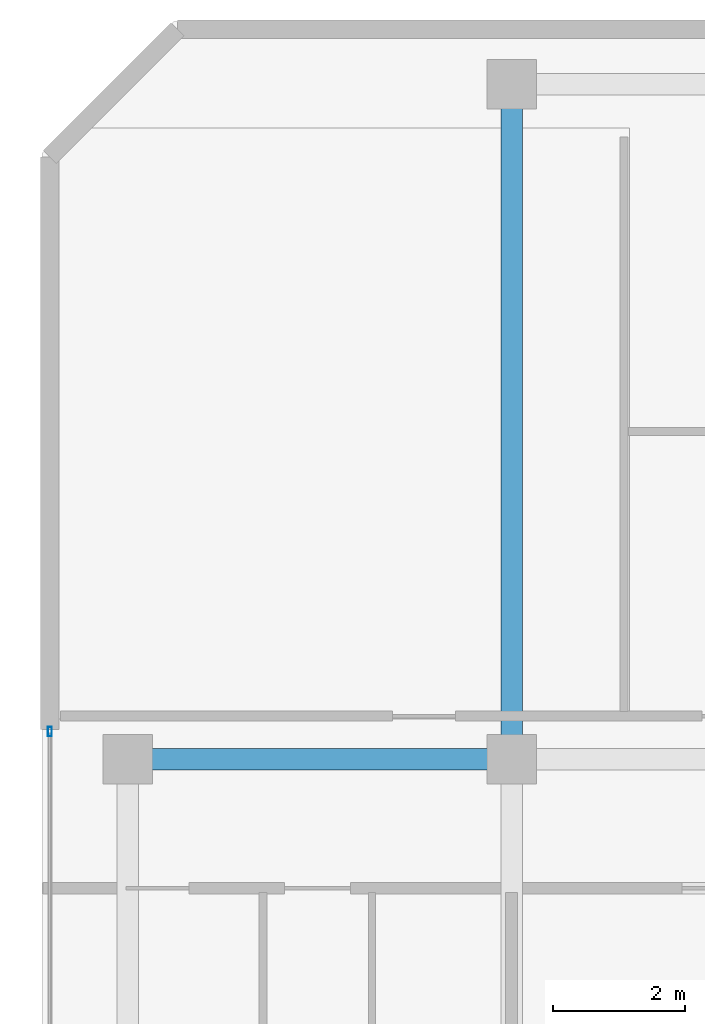
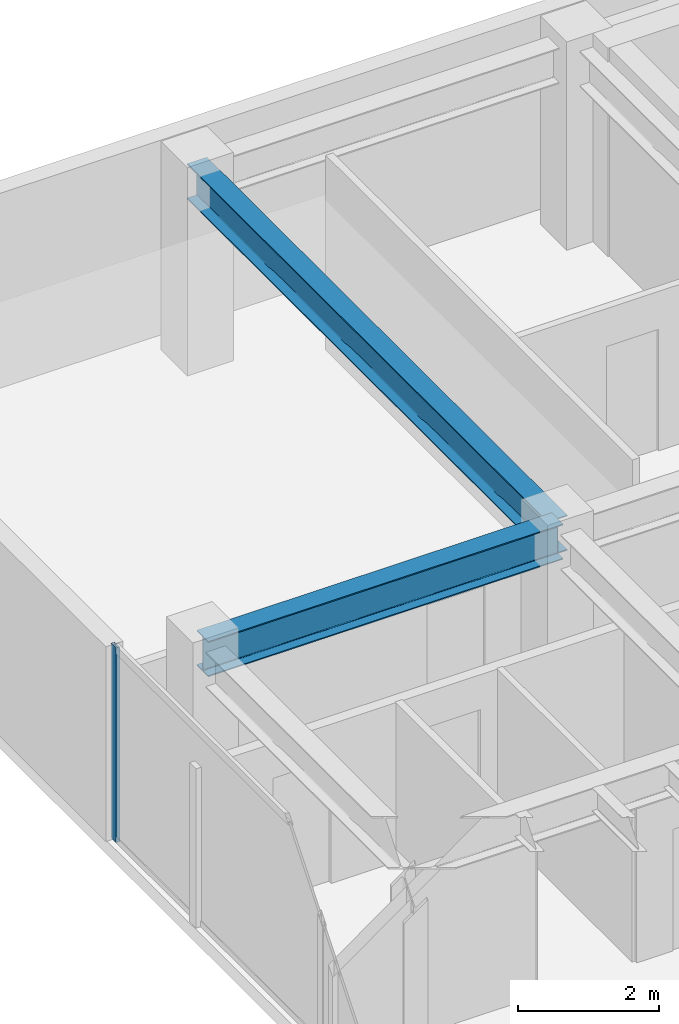
# One storey, part 10 of 17: 2 beams, 1 member, 1 element without a shape of its own.
"""IFC4 building model written with IfcOpenShell, lengths in metres."""

from ifc_helpers import new_model, si_unit, direction, frame, origin, origin_2d, place, context, subcontext, project, spatial, hollow_rectangle, i_section, extrude, material, layer, layer_set, material_profile, profile_set, type_object, element, aggregate, save


model = new_model("IFC4")

# Units and contexts
model_context = context("Model", 3, precision=1e-05, world=origin(), true_north=direction((0.0, 1.0)))
body_context = subcontext(model_context, "Body", "Model", "MODEL_VIEW")
ifc_project = project(units=[si_unit("LENGTHUNIT", "METRE"), si_unit("AREAUNIT", "SQUARE_METRE"), si_unit("VOLUMEUNIT", "CUBIC_METRE"), si_unit("PLANEANGLEUNIT", "RADIAN"), si_unit("MASSUNIT", "GRAM", prefix="KILO")], contexts=[model_context])

# Site, building, storey
site_placement = place(None, origin())
site = spatial("IfcSite", under=ifc_project, at=site_placement, CompositionType="ELEMENT")
building_placement = place(site_placement, origin())
building = spatial("IfcBuilding", under=site, at=building_placement, Name="Kravanh Interchange Tower", CompositionType="ELEMENT")
storey_placement = place(building_placement, frame((0.0, 0.0, 289.5)))
storey = spatial("IfcBuildingStorey", under=building, at=storey_placement, Name="L71", CompositionType="ELEMENT", Elevation=289.5)

# Curtain wall, member
ifc_material_1 = material(Name="Anodised Bronze Aluminium", Category="aluminium")
ifc_layer = layer(ifc_material_1, 0.179931640625)
ifc_layer_set = layer_set([ifc_layer], Name="Unitised Curtain Wall System CW-HTL Luxury Hotel")
curtain_wall_type = type_object("IfcCurtainWallType", Name="Unitised Curtain Wall System CW-HTL Luxury Hotel", PredefinedType="NOTDEFINED", material=ifc_layer_set)
curtain_wall_placement = place(storey_placement, origin())
curtain_wall = element("IfcCurtainWall", 1, at=curtain_wall_placement, inside=storey, type_object=curtain_wall_type, Name="L71 Unitised Curtain Wall CW-L71-01", PredefinedType="NOTDEFINED")
ifc_material_2 = material(Name="Anodised Bronze Aluminium", Category="aluminium")
ifc_material_profile_1 = material_profile(ifc_material_2, hollow_rectangle(XDim=0.06005859375, YDim=0.139892578125, WallThickness=0.00390625, at=origin_2d()), Name="ALU60X140X4")
ifc_profile_set_1 = profile_set([ifc_material_profile_1], Name="Anodised Bronze Aluminium")
member_type = type_object("IfcMemberType", Name="Curtain Wall Mullion ALU60X140X4 Bronze", PredefinedType="MULLION", material=ifc_profile_set_1)
member_placement = place(storey_placement, frame((31.6201171875, 37.77001953125, 0.0), z_axis=(0.0, 0.0, 1.0), x_axis=(-1.0, 0.0, 0.0)))
member = element("IfcMember", 2, at=member_placement, type_object=member_type, Name="CW-HTL mullion 4", PredefinedType="MULLION", context=body_context, shape_type="SweptSolid", body=[
    extrude(hollow_rectangle(XDim=0.06005859375, YDim=0.139892578125, WallThickness=0.00390625, at=origin_2d()), origin(), (0.0, 0.0, 1.0), 3.364990234375),
])
aggregate(curtain_wall, [member])

# Beams
ifc_material_3 = material(Name="Structural Steel S355", Category="steel")
ifc_material_profile_2 = material_profile(ifc_material_3, i_section(OverallWidth=0.323974609375, OverallDepth=0.611083984375, WebThickness=0.0126953125, FlangeThickness=0.01904296875, FilletRadius=0.02197265625, at=origin_2d()), Name="W24X104")
ifc_profile_set_2 = profile_set([ifc_material_profile_2], Name="Structural Steel S355")
beam_type = type_object("IfcBeamType", Name="Floor Beam W24X104 Structural Steel S355", PredefinedType="BEAM", material=ifc_profile_set_2)
beam_1_placement = place(storey_placement, frame((38.60009765625, 37.35009765625, 3.0595703125), z_axis=(-1.0, 0.0, 0.0), x_axis=(0.0, -1.0, 0.0)))
element("IfcBeam", 3, at=beam_1_placement, inside=storey, type_object=beam_type, Name="L71 Primary Floor Girder 46", PredefinedType="BEAM", context=body_context, shape_type="SweptSolid", body=[
    extrude(i_section(OverallWidth=0.323974609375, OverallDepth=0.611083984375, WebThickness=0.0126953125, FlangeThickness=0.01904296875, FilletRadius=0.02197265625, at=origin_2d()), origin(), (0.0, 0.0, 1.0), 5.800048828125),
])
beam_2_placement = place(storey_placement, frame((38.60009765625, 37.35009765625, 3.0595703125), z_axis=(0.0, 1.0, 0.0), x_axis=(-1.0, 0.0, 0.0)))
element("IfcBeam", 4, at=beam_2_placement, inside=storey, type_object=beam_type, Name="L71 Primary Floor Girder 47", PredefinedType="BEAM", context=body_context, shape_type="SweptSolid", body=[
    extrude(i_section(OverallWidth=0.323974609375, OverallDepth=0.611083984375, WebThickness=0.0126953125, FlangeThickness=0.01904296875, FilletRadius=0.02197265625, at=origin_2d()), origin(), (0.0, 0.0, 1.0), 10.199951171875),
])

save(model, "model.ifc")
